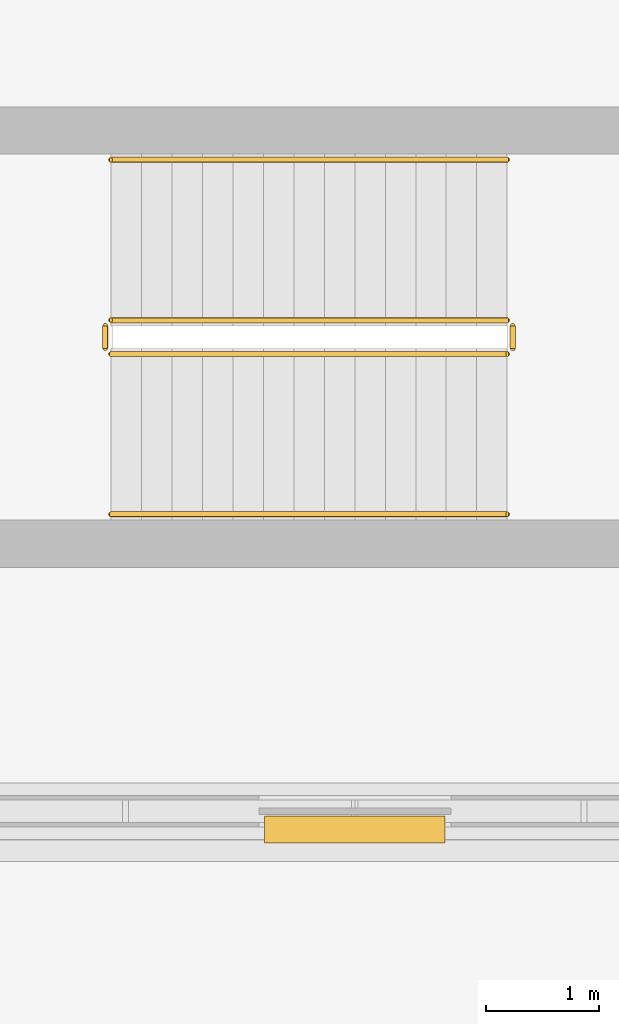
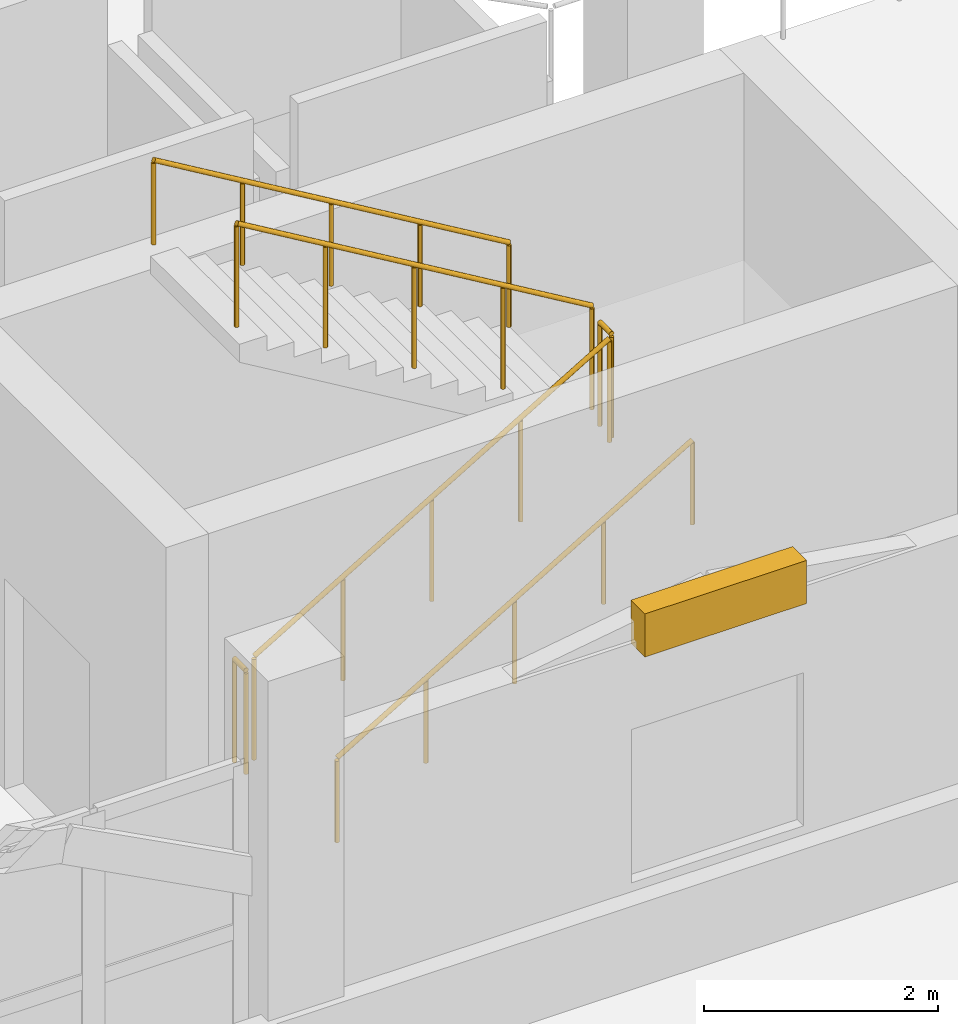
# One storey, part 26 of 30: 6 railings, 1 shading device.
"""IFC4 building model written with IfcOpenShell, lengths in metres."""

from ifc_helpers import new_model, si_unit, direction, frame, origin, origin_2d, place, context, subcontext, project, spatial, rectangle, circle, extrude, material, layer, layer_set, type_object, element, save


model = new_model("IFC4")

# Units and contexts
model_context = context("Model", 3, precision=1e-05, world=origin(), true_north=direction((0.0, 1.0)))
body_context = subcontext(model_context, "Body", "Model", "MODEL_VIEW")
ifc_project = project(units=[si_unit("LENGTHUNIT", "METRE"), si_unit("AREAUNIT", "SQUARE_METRE"), si_unit("VOLUMEUNIT", "CUBIC_METRE"), si_unit("PLANEANGLEUNIT", "RADIAN"), si_unit("MASSUNIT", "GRAM", prefix="KILO")], contexts=[model_context])

# Site, building, storey
site_placement = place(None, origin())
site = spatial("IfcSite", under=ifc_project, at=site_placement, CompositionType="ELEMENT")
building_placement = place(site_placement, origin())
building = spatial("IfcBuilding", under=site, at=building_placement, Name="Xazarin Passage Department Store", CompositionType="ELEMENT")
storey_placement = place(building_placement, frame((0.0, 0.0, 23.39990234375)))
storey = spatial("IfcBuildingStorey", under=building, at=storey_placement, Name="L05", CompositionType="ELEMENT", Elevation=23.39990234375)

# Railings
ifc_material_1 = material(Name="Steel S355", Category="steel")
railing_type_1 = type_object("IfcRailingType", Name="ARC-RL-GRD112", PredefinedType="GUARDRAIL", material=ifc_material_1)
railing_1_placement = place(storey_placement, frame((10.43994140625, 80.449951171875, 0.160888671875)))
element("IfcRailing", 1, at=railing_1_placement, inside=storey, type_object=railing_type_1, Name="L05 ST1 stair guard 1", PredefinedType="GUARDRAIL", context=body_context, shape_type="SweptSolid", body=[
    extrude(circle(Radius=0.02392578125, at=origin_2d()), frame((0.0, 0.0, 1.076171875), z_axis=(0.859312273368, 0.0, 0.511451284914), x_axis=(0.0, 1.0, 0.0)), (0.0, 0.0, 1.0), 4.084716796875),
    extrude(circle(Radius=0.02099609375, at=origin_2d()), origin(), (0.0, 0.0, 1.0), 1.0517578125),
    extrude(circle(Radius=0.02099609375, at=origin_2d()), frame((0.87744140625, 0.0, 0.522216796875)), (0.0, 0.0, 1.0), 1.0517578125),
    extrude(circle(Radius=0.02099609375, at=origin_2d()), frame((1.7548828125, 0.0, 1.04443359375)), (0.0, 0.0, 1.0), 1.0517578125),
    extrude(circle(Radius=0.02099609375, at=origin_2d()), frame((2.632568359375, 0.0, 1.56689453125)), (0.0, 0.0, 1.0), 1.0517578125),
    extrude(circle(Radius=0.02099609375, at=origin_2d()), frame((3.510009765625, 0.0, 2.089111328125)), (0.0, 0.0, 1.0), 1.0517578125),
])
railing_2_placement = place(storey_placement, frame((14.0, 80.5, 2.25)))
element("IfcRailing", 2, at=railing_2_placement, inside=storey, type_object=railing_type_1, Name="L05 ST1 stair guard 2", PredefinedType="GUARDRAIL", context=body_context, shape_type="SweptSolid", body=[
    extrude(circle(Radius=0.02392578125, at=origin_2d()), frame((0.0, 0.0, 1.076171875), z_axis=(0.0, 1.0, 0.0), x_axis=(-1.0, 0.0, 0.0)), (0.0, 0.0, 1.0), 0.199951171875),
    extrude(circle(Radius=0.02099609375, at=origin_2d()), origin(), (0.0, 0.0, 1.0), 1.0517578125),
    extrude(circle(Radius=0.02099609375, at=origin_2d()), frame((0.0, 0.199951171875, 0.0)), (0.0, 0.0, 1.0), 1.0517578125),
])
railing_3_placement = place(storey_placement, frame((13.949951171875, 80.75, 2.410888671875)))
element("IfcRailing", 3, at=railing_3_placement, inside=storey, type_object=railing_type_1, Name="L05 ST1 stair guard 3", PredefinedType="GUARDRAIL", context=body_context, shape_type="SweptSolid", body=[
    extrude(circle(Radius=0.02392578125, at=origin_2d()), frame((0.0, 0.0, 1.076171875), z_axis=(-0.859312273368, 0.0, 0.511451284914), x_axis=(0.0, -1.0, 0.0)), (0.0, 0.0, 1.0), 4.084716796875),
    extrude(circle(Radius=0.02099609375, at=origin_2d()), origin(), (0.0, 0.0, 1.0), 1.0517578125),
    extrude(circle(Radius=0.02099609375, at=origin_2d()), frame((-0.87744140625, 0.0, 0.522216796875)), (0.0, 0.0, 1.0), 1.0517578125),
    extrude(circle(Radius=0.02099609375, at=origin_2d()), frame((-1.7548828125, 0.0, 1.04443359375)), (0.0, 0.0, 1.0), 1.0517578125),
    extrude(circle(Radius=0.02099609375, at=origin_2d()), frame((-2.632568359375, 0.0, 1.56689453125)), (0.0, 0.0, 1.0), 1.0517578125),
    extrude(circle(Radius=0.02099609375, at=origin_2d()), frame((-3.510009765625, 0.0, 2.089111328125)), (0.0, 0.0, 1.0), 1.0517578125),
])
railing_4_placement = place(storey_placement, frame((10.389892578125, 80.5, 0.0)))
element("IfcRailing", 4, at=railing_4_placement, inside=storey, type_object=railing_type_1, Name="L05 ST1 stair guard 4", PredefinedType="GUARDRAIL", context=body_context, shape_type="SweptSolid", body=[
    extrude(circle(Radius=0.02392578125, at=origin_2d()), frame((0.0, 0.0, 1.076171875), z_axis=(0.0, 1.0, 0.0), x_axis=(-1.0, 0.0, 0.0)), (0.0, 0.0, 1.0), 0.199951171875),
    extrude(circle(Radius=0.02099609375, at=origin_2d()), origin(), (0.0, 0.0, 1.0), 1.0517578125),
    extrude(circle(Radius=0.02099609375, at=origin_2d()), frame((0.0, 0.199951171875, 0.0)), (0.0, 0.0, 1.0), 1.0517578125),
])
railing_type_2 = type_object("IfcRailingType", Name="ARC-RL-HND090", PredefinedType="HANDRAIL", material=ifc_material_1)
railing_5_placement = place(storey_placement, frame((10.43994140625, 79.030029296875, 0.160888671875)))
element("IfcRailing", 5, at=railing_5_placement, inside=storey, type_object=railing_type_2, Name="L05 ST1 stair handrail 1", PredefinedType="HANDRAIL", context=body_context, shape_type="SweptSolid", body=[
    extrude(circle(Radius=0.02392578125, at=origin_2d()), frame((0.0, 0.0, 0.8759765625), z_axis=(0.859312273368, 0.0, 0.511451284914), x_axis=(0.0, 1.0, 0.0)), (0.0, 0.0, 1.0), 4.084716796875),
    extrude(circle(Radius=0.02099609375, at=origin_2d()), origin(), (0.0, 0.0, 1.0), 0.8515625),
    extrude(circle(Radius=0.02099609375, at=origin_2d()), frame((0.87744140625, 0.0, 0.522216796875)), (0.0, 0.0, 1.0), 0.8515625),
    extrude(circle(Radius=0.02099609375, at=origin_2d()), frame((1.7548828125, 0.0, 1.04443359375)), (0.0, 0.0, 1.0), 0.8515625),
    extrude(circle(Radius=0.02099609375, at=origin_2d()), frame((2.632568359375, 0.0, 1.56689453125)), (0.0, 0.0, 1.0), 0.8515625),
    extrude(circle(Radius=0.02099609375, at=origin_2d()), frame((3.510009765625, 0.0, 2.089111328125)), (0.0, 0.0, 1.0), 0.8515625),
])
railing_6_placement = place(storey_placement, frame((13.949951171875, 82.169921875, 2.410888671875)))
element("IfcRailing", 6, at=railing_6_placement, inside=storey, type_object=railing_type_2, Name="L05 ST1 stair handrail 2", PredefinedType="HANDRAIL", context=body_context, shape_type="SweptSolid", body=[
    extrude(circle(Radius=0.02392578125, at=origin_2d()), frame((0.0, 0.0, 0.8759765625), z_axis=(-0.859312273368, 0.0, 0.511451284914), x_axis=(0.0, -1.0, 0.0)), (0.0, 0.0, 1.0), 4.084716796875),
    extrude(circle(Radius=0.02099609375, at=origin_2d()), origin(), (0.0, 0.0, 1.0), 0.8515625),
    extrude(circle(Radius=0.02099609375, at=origin_2d()), frame((-0.87744140625, 0.0, 0.522216796875)), (0.0, 0.0, 1.0), 0.8515625),
    extrude(circle(Radius=0.02099609375, at=origin_2d()), frame((-1.7548828125, 0.0, 1.04443359375)), (0.0, 0.0, 1.0), 0.8515625),
    extrude(circle(Radius=0.02099609375, at=origin_2d()), frame((-2.632568359375, 0.0, 1.56689453125)), (0.0, 0.0, 1.0), 0.8515625),
    extrude(circle(Radius=0.02099609375, at=origin_2d()), frame((-3.510009765625, 0.0, 2.089111328125)), (0.0, 0.0, 1.0), 0.8515625),
])

# Shading device
ifc_material_2 = material(Name="Bronze anodised aluminium", Category="aluminium")
ifc_layer = layer(ifc_material_2, 0.080078125)
ifc_layer_set = layer_set([ifc_layer], Name="Bronze anodised aluminium")
shading_device_type = type_object("IfcShadingDeviceType", Name="ARC-SHD-LVR", PredefinedType="JALOUSIE", material=ifc_layer_set)
shading_device_placement = place(storey_placement, frame((12.60009765625, 76.239990234375, 3.375), z_axis=(0.0, 0.0, 1.0), x_axis=(1.0, 0.0, 0.0)))
element("IfcShadingDevice", 7, at=shading_device_placement, inside=storey, type_object=shading_device_type, Name="L05 V1 Sun Shading Louvre 07", PredefinedType="JALOUSIE", context=body_context, shape_type="SweptSolid", body=[
    extrude(rectangle(XDim=1.60009765625, YDim=0.239990234375, at=origin_2d()), origin(), (0.0, 0.0, 1.0), 0.449951171875),
])

save(model, "model.ifc")
